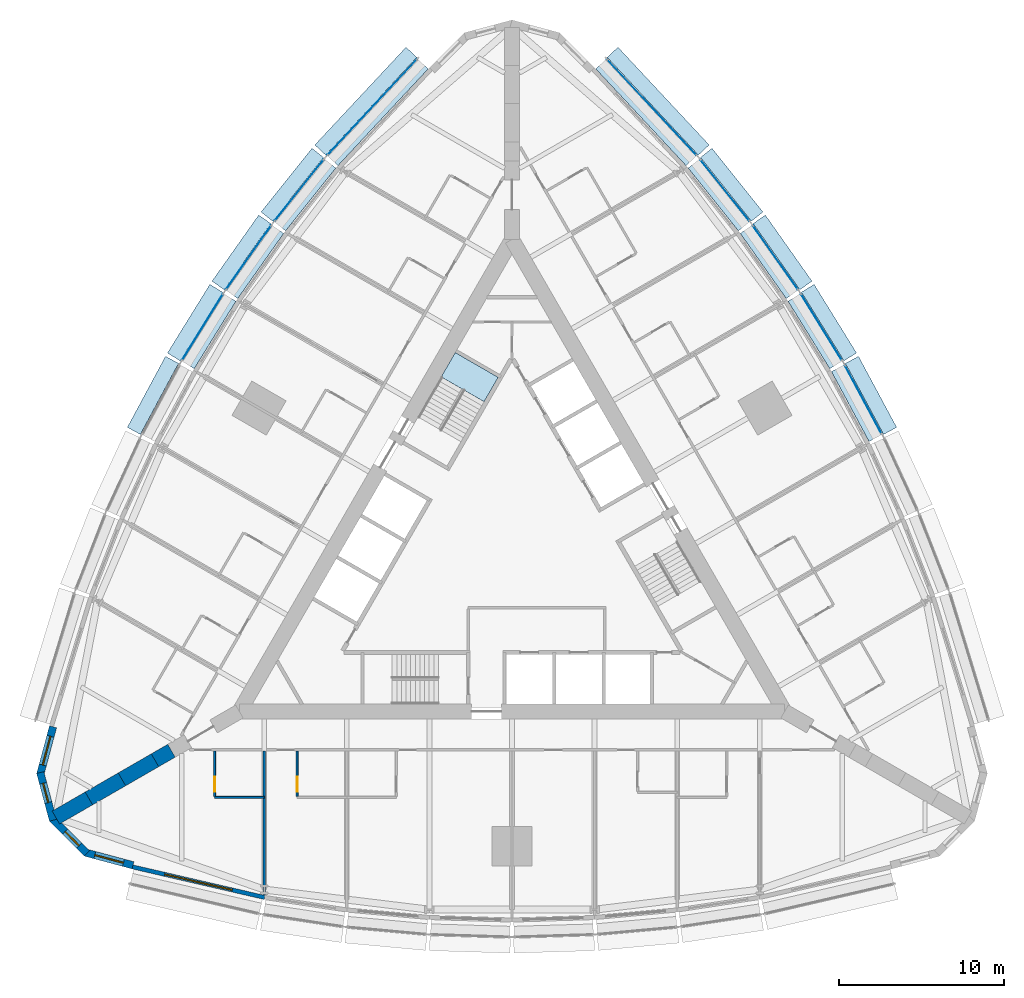
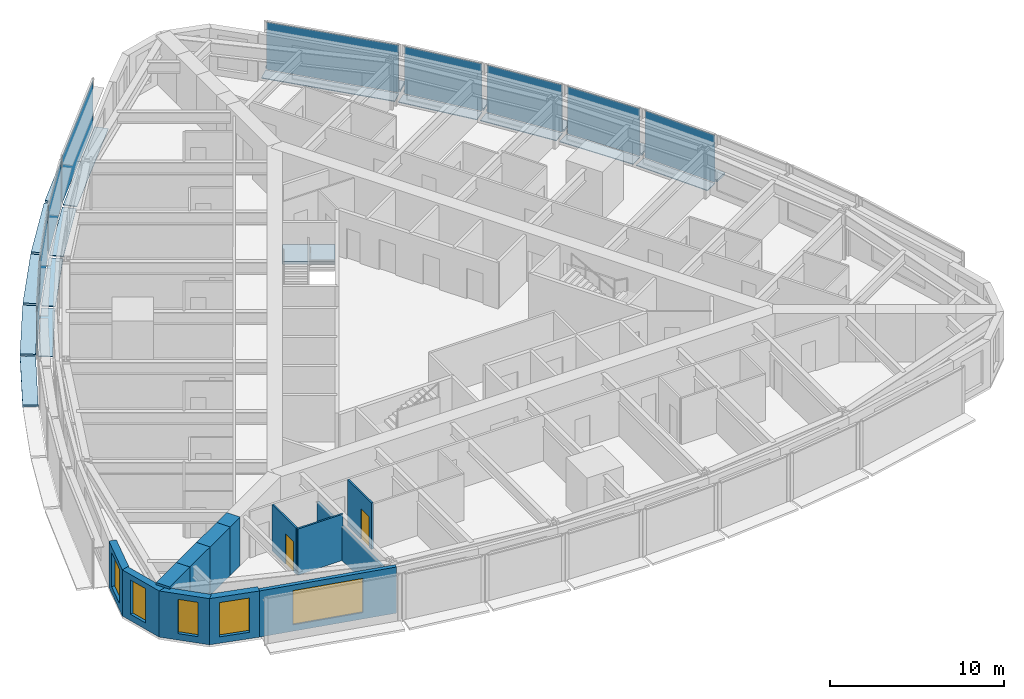
# One storey, part 7 of 14: 28 plates, 13 walls, 5 windows, 2 doors, 1 slab, 7 openings, 10 elements without a shape of their own.
"""IFC4 building model written with IfcOpenShell, lengths in metres."""

from ifc_helpers import new_model, si_unit, direction, frame, frame_2d, origin, origin_2d, place, context, subcontext, project, spatial, polyline, rectangle, outline, extrude, material, layer, layer_set, type_object, element, fill, aggregate, save


model = new_model("IFC4")

# Units and contexts
model_context = context("Model", 3, precision=1e-05, world=origin(), true_north=direction((0.0, 1.0)))
body_context = subcontext(model_context, "Body", "Model", "MODEL_VIEW")
ifc_project = project(units=[si_unit("LENGTHUNIT", "METRE"), si_unit("AREAUNIT", "SQUARE_METRE"), si_unit("VOLUMEUNIT", "CUBIC_METRE"), si_unit("PLANEANGLEUNIT", "RADIAN"), si_unit("MASSUNIT", "GRAM", prefix="KILO")], contexts=[model_context])

# Site, building, storey
site_placement = place(None, origin())
site = spatial("IfcSite", under=ifc_project, at=site_placement, CompositionType="ELEMENT")
building_placement = place(site_placement, origin())
building = spatial("IfcBuilding", under=site, at=building_placement, Name="Trikona Tower", CompositionType="ELEMENT")
storey_placement = place(building_placement, frame((0.0, 0.0, 38.699951171875)))
storey = spatial("IfcBuildingStorey", under=building, at=storey_placement, Name="L08", CompositionType="ELEMENT", Elevation=38.699951171875)

# Plates
ifc_material_1 = material(Name="Aluminium bar grating", Category="aluminium")
ifc_layer_1 = layer(ifc_material_1, 0.050048828125)
ifc_layer_set_1 = layer_set([ifc_layer_1], Name="Cavity catwalk grating")
plate_type_1 = type_object("IfcPlateType", Name="Cavity catwalk grating", PredefinedType="USERDEFINED", material=ifc_layer_set_1)
for number, where, z_axis, x_axis, name in (
    (1, (20.833740234375, 9.127197265625, -0.0498046875), (0.0, 0.0, 1.0), (-0.473422672721, 0.880835383572, 0.0), "Cavity catwalk L08-15"),
    (2, (18.3212890625, 13.47900390625, -0.0498046875), (0.0, 0.0, 1.0), (-0.526118935114, 0.85041099835, 0.0), "Cavity catwalk L08-16"),
):
    element("IfcPlate", number, at=place(storey_placement, frame(where, z_axis=z_axis, x_axis=x_axis)), inside=storey, type_object=plate_type_1, Name=name, ObjectType="CATWALK GRATING", PredefinedType="USERDEFINED", context=body_context, shape_type="SweptSolid", body=[
        extrude(rectangle(XDim=4.80224609375, YDim=0.820068359375, at=origin_2d()), origin(), (0.0, 0.0, 1.0), 0.050048828125),
    ])
plate_1_placement = place(storey_placement, frame((15.544189453125, 17.677734375, -0.0498046875), z_axis=(0.0, 0.0, 1.0), x_axis=(-0.576661909499, 0.816982889743, 0.0)))
element("IfcPlate", 3, at=plate_1_placement, inside=storey, type_object=plate_type_1, Name="Cavity catwalk L08-17", ObjectType="CATWALK GRATING", PredefinedType="USERDEFINED", context=body_context, shape_type="SweptSolid", body=[
    extrude(rectangle(XDim=4.82080078125, YDim=0.820068359375, at=origin_2d()), origin(), (0.0, 0.0, 1.0), 0.050048828125),
])
plate_2_placement = place(storey_placement, frame((12.502197265625, 21.72314453125, -0.0498046875), z_axis=(0.0, 0.0, 1.0), x_axis=(-0.624603618277, 0.780941944087, 0.0)))
element("IfcPlate", 4, at=plate_2_placement, inside=storey, type_object=plate_type_1, Name="Cavity catwalk L08-18", ObjectType="CATWALK GRATING", PredefinedType="USERDEFINED", context=body_context, shape_type="SweptSolid", body=[
    extrude(rectangle(XDim=4.857666015625, YDim=0.820068359375, at=origin_2d()), origin(), (0.0, 0.0, 1.0), 0.050048828125),
])
for number, where, z_axis, x_axis, name in (
    (5, (8.10107421875, 26.72314453125, -0.0498046875), (0.0, 0.0, 1.0), (-0.682298269147, 0.731073916864, 0.0), "Cavity catwalk L08-19"),
    (6, (-8.10107421875, 26.72314453125, -0.0498046875), (0.0, 0.0, 1.0), (-0.682298269147, -0.731073916864, 0.0), "Cavity catwalk L08-24"),
):
    element("IfcPlate", number, at=place(storey_placement, frame(where, z_axis=z_axis, x_axis=x_axis)), inside=storey, type_object=plate_type_1, Name=name, ObjectType="CATWALK GRATING", PredefinedType="USERDEFINED", context=body_context, shape_type="SweptSolid", body=[
        extrude(rectangle(XDim=8.01123046875, YDim=0.820068359375, at=origin_2d()), origin(), (0.0, 0.0, 1.0), 0.050048828125),
    ])
plate_3_placement = place(storey_placement, frame((-12.502197265625, 21.72314453125, -0.0498046875), z_axis=(0.0, 0.0, 1.0), x_axis=(-0.624603618277, -0.780941944087, 0.0)))
element("IfcPlate", 7, at=plate_3_placement, inside=storey, type_object=plate_type_1, Name="Cavity catwalk L08-25", ObjectType="CATWALK GRATING", PredefinedType="USERDEFINED", context=body_context, shape_type="SweptSolid", body=[
    extrude(rectangle(XDim=4.857666015625, YDim=0.820068359375, at=origin_2d()), origin(), (0.0, 0.0, 1.0), 0.050048828125),
])
plate_4_placement = place(storey_placement, frame((-15.544189453125, 17.677734375, -0.0498046875), z_axis=(0.0, 0.0, 1.0), x_axis=(-0.576661909499, -0.816982889743, 0.0)))
element("IfcPlate", 8, at=plate_4_placement, inside=storey, type_object=plate_type_1, Name="Cavity catwalk L08-26", ObjectType="CATWALK GRATING", PredefinedType="USERDEFINED", context=body_context, shape_type="SweptSolid", body=[
    extrude(rectangle(XDim=4.82080078125, YDim=0.820068359375, at=origin_2d()), origin(), (0.0, 0.0, 1.0), 0.050048828125),
])
plate_5_placement = place(storey_placement, frame((-18.3212890625, 13.47900390625, -0.0498046875), z_axis=(0.0, 0.0, 1.0), x_axis=(-0.526118935114, -0.85041099835, 0.0)))
element("IfcPlate", 9, at=plate_5_placement, inside=storey, type_object=plate_type_1, Name="Cavity catwalk L08-27", ObjectType="CATWALK GRATING", PredefinedType="USERDEFINED", context=body_context, shape_type="SweptSolid", body=[
    extrude(rectangle(XDim=4.80224609375, YDim=0.820068359375, at=origin_2d()), origin(), (0.0, 0.0, 1.0), 0.050048828125),
])

# Curtain wall, plate
ifc_material_2 = material(Name="Aluminium curtain wall system", Category="aluminium")
curtain_wall_type = type_object("IfcCurtainWallType", Name="Curtain wall DS1", PredefinedType="NOTDEFINED", material=ifc_material_2)
curtain_wall_1_placement = place(storey_placement, origin())
curtain_wall_1 = element("IfcCurtainWall", 10, at=curtain_wall_1_placement, inside=storey, type_object=curtain_wall_type, Name="Curtain wall DS1 L08", PredefinedType="NOTDEFINED")
ifc_material_3 = material(Name="Laminated clear glass", Category="glass")
ifc_layer_2 = layer(ifc_material_3, 0.028076171875)
ifc_layer_set_2 = layer_set([ifc_layer_2], Name="Glass panel DS1")
plate_type_2 = type_object("IfcPlateType", Name="Glass panel DS1", PredefinedType="CURTAIN_PANEL", material=ifc_layer_set_2)
plate_6_placement = place(storey_placement, frame((21.265380859375, 9.359130859375, 0.0), z_axis=(0.0, 0.0, 1.0), x_axis=(-0.473408350896, 0.880843080975, 0.0)))
plate_6 = element("IfcPlate", 11, at=plate_6_placement, type_object=plate_type_2, Name="CW-DS1 panel 1.1", PredefinedType="CURTAIN_PANEL", context=body_context, shape_type="SweptSolid", body=[
    extrude(rectangle(XDim=4.72216796875, YDim=0.028076171875, at=origin_2d()), origin(), (0.0, 0.0, 1.0), 3.320068359375),
])
aggregate(curtain_wall_1, [plate_6])

curtain_wall_2_placement = place(storey_placement, origin())
curtain_wall_2 = element("IfcCurtainWall", 12, at=curtain_wall_2_placement, inside=storey, type_object=curtain_wall_type, Name="Curtain wall DS1 L08", PredefinedType="NOTDEFINED")
plate_7_placement = place(storey_placement, frame((18.738037109375, 13.73681640625, 0.0), z_axis=(0.0, 0.0, 1.0), x_axis=(-0.526119790842, 0.850410468941, 0.0)))
plate_7 = element("IfcPlate", 13, at=plate_7_placement, type_object=plate_type_2, Name="CW-DS1 panel 1.1", PredefinedType="CURTAIN_PANEL", context=body_context, shape_type="SweptSolid", body=[
    extrude(rectangle(XDim=4.722412109375, YDim=0.028076171875, at=origin_2d()), origin(), (0.0, 0.0, 1.0), 3.320068359375),
])
aggregate(curtain_wall_2, [plate_7])

curtain_wall_3_placement = place(storey_placement, origin())
curtain_wall_3 = element("IfcCurtainWall", 14, at=curtain_wall_3_placement, inside=storey, type_object=curtain_wall_type, Name="Curtain wall DS1 L08", PredefinedType="NOTDEFINED")
plate_8_placement = place(storey_placement, frame((15.9443359375, 17.960205078125, 0.0), z_axis=(0.0, 0.0, 1.0), x_axis=(-0.576658362928, 0.816985393055, 0.0)))
plate_8 = element("IfcPlate", 15, at=plate_8_placement, type_object=plate_type_2, Name="CW-DS1 panel 1.1", PredefinedType="CURTAIN_PANEL", context=body_context, shape_type="SweptSolid", body=[
    extrude(rectangle(XDim=4.74072265625, YDim=0.028076171875, at=origin_2d()), origin(), (0.0, 0.0, 1.0), 3.320068359375),
])
aggregate(curtain_wall_3, [plate_8])

curtain_wall_4_placement = place(storey_placement, origin())
curtain_wall_4 = element("IfcCurtainWall", 16, at=curtain_wall_4_placement, inside=storey, type_object=curtain_wall_type, Name="Curtain wall DS1 L08", PredefinedType="NOTDEFINED")
plate_9_placement = place(storey_placement, frame((12.884765625, 22.029296875, 0.0), z_axis=(0.0, 0.0, 1.0), x_axis=(-0.624608599951, 0.780937959679, 0.0)))
plate_9 = element("IfcPlate", 17, at=plate_9_placement, type_object=plate_type_2, Name="CW-DS1 panel 1.1", PredefinedType="CURTAIN_PANEL", context=body_context, shape_type="SweptSolid", body=[
    extrude(rectangle(XDim=4.777587890625, YDim=0.028076171875, at=origin_2d()), origin(), (0.0, 0.0, 1.0), 3.320068359375),
])
aggregate(curtain_wall_4, [plate_9])

curtain_wall_5_placement = place(storey_placement, origin())
curtain_wall_5 = element("IfcCurtainWall", 18, at=curtain_wall_5_placement, inside=storey, type_object=curtain_wall_type, Name="Curtain wall DS1 L08", PredefinedType="NOTDEFINED")
plate_10_placement = place(storey_placement, frame((8.459228515625, 27.057373046875, 0.0), z_axis=(0.0, 0.0, 1.0), x_axis=(-0.682295351967, 0.731076639405, 0.0)))
plate_10 = element("IfcPlate", 19, at=plate_10_placement, type_object=plate_type_2, Name="CW-DS1 panel 1.1", PredefinedType="CURTAIN_PANEL", context=body_context, shape_type="SweptSolid", body=[
    extrude(rectangle(XDim=7.93115234375, YDim=0.028076171875, at=origin_2d()), origin(), (0.0, 0.0, 1.0), 3.320068359375),
])
aggregate(curtain_wall_5, [plate_10])

curtain_wall_6_placement = place(storey_placement, origin())
curtain_wall_6 = element("IfcCurtainWall", 20, at=curtain_wall_6_placement, inside=storey, type_object=curtain_wall_type, Name="Curtain wall DS1 L08", PredefinedType="NOTDEFINED")
plate_11_placement = place(storey_placement, frame((-8.459228515625, 27.057373046875, 0.0), z_axis=(0.0, 0.0, 1.0), x_axis=(-0.682295351967, -0.731076639405, 0.0)))
plate_11 = element("IfcPlate", 21, at=plate_11_placement, type_object=plate_type_2, Name="CW-DS1 panel 1.1", PredefinedType="CURTAIN_PANEL", context=body_context, shape_type="SweptSolid", body=[
    extrude(rectangle(XDim=7.93115234375, YDim=0.028076171875, at=origin_2d()), origin(), (0.0, 0.0, 1.0), 3.320068359375),
])
aggregate(curtain_wall_6, [plate_11])

curtain_wall_7_placement = place(storey_placement, origin())
curtain_wall_7 = element("IfcCurtainWall", 22, at=curtain_wall_7_placement, inside=storey, type_object=curtain_wall_type, Name="Curtain wall DS1 L08", PredefinedType="NOTDEFINED")
plate_12_placement = place(storey_placement, frame((-12.884765625, 22.029296875, 0.0), z_axis=(0.0, 0.0, 1.0), x_axis=(-0.624608599951, -0.780937959679, 0.0)))
plate_12 = element("IfcPlate", 23, at=plate_12_placement, type_object=plate_type_2, Name="CW-DS1 panel 1.1", PredefinedType="CURTAIN_PANEL", context=body_context, shape_type="SweptSolid", body=[
    extrude(rectangle(XDim=4.777587890625, YDim=0.028076171875, at=origin_2d()), origin(), (0.0, 0.0, 1.0), 3.320068359375),
])
aggregate(curtain_wall_7, [plate_12])

curtain_wall_8_placement = place(storey_placement, origin())
curtain_wall_8 = element("IfcCurtainWall", 24, at=curtain_wall_8_placement, inside=storey, type_object=curtain_wall_type, Name="Curtain wall DS1 L08", PredefinedType="NOTDEFINED")
plate_13_placement = place(storey_placement, frame((-15.9443359375, 17.960205078125, 0.0), z_axis=(0.0, 0.0, 1.0), x_axis=(-0.576658362928, -0.816985393055, 0.0)))
plate_13 = element("IfcPlate", 25, at=plate_13_placement, type_object=plate_type_2, Name="CW-DS1 panel 1.1", PredefinedType="CURTAIN_PANEL", context=body_context, shape_type="SweptSolid", body=[
    extrude(rectangle(XDim=4.74072265625, YDim=0.028076171875, at=origin_2d()), origin(), (0.0, 0.0, 1.0), 3.320068359375),
])
aggregate(curtain_wall_8, [plate_13])

curtain_wall_9_placement = place(storey_placement, origin())
curtain_wall_9 = element("IfcCurtainWall", 26, at=curtain_wall_9_placement, inside=storey, type_object=curtain_wall_type, Name="Curtain wall DS1 L08", PredefinedType="NOTDEFINED")
plate_14_placement = place(storey_placement, frame((-18.738037109375, 13.73681640625, 0.0), z_axis=(0.0, 0.0, 1.0), x_axis=(-0.526119790842, -0.850410468941, 0.0)))
plate_14 = element("IfcPlate", 27, at=plate_14_placement, type_object=plate_type_2, Name="CW-DS1 panel 1.1", PredefinedType="CURTAIN_PANEL", context=body_context, shape_type="SweptSolid", body=[
    extrude(rectangle(XDim=4.722412109375, YDim=0.028076171875, at=origin_2d()), origin(), (0.0, 0.0, 1.0), 3.320068359375),
])
aggregate(curtain_wall_9, [plate_14])

# Plates
ifc_material_4 = material(Name="Aluminium plate fin, pale anodised, on stainless steel outriggers", Category="steel")
ifc_layer_3 = layer(ifc_material_4, 0.14990234375)
ifc_layer_set_3 = layer_set([ifc_layer_3], Name="Outer skin fin 900")
plate_type_3 = type_object("IfcPlateType", Name="Outer skin fin 900", PredefinedType="USERDEFINED", material=ifc_layer_set_3)
for number, where, z_axis, x_axis, name in (
    (28, (21.732421875, 9.610107421875, 0.0), (0.0, 0.0, 1.0), (-0.473422672721, 0.880835383572, 0.0), "Outer skin fin L08-15"),
    (29, (19.188720703125, 14.015625, 0.0), (0.0, 0.0, 1.0), (-0.526118935114, 0.85041099835, 0.0), "Outer skin fin L08-16"),
):
    element("IfcPlate", number, at=place(storey_placement, frame(where, z_axis=z_axis, x_axis=x_axis)), inside=storey, type_object=plate_type_3, Name=name, ObjectType="FIN", PredefinedType="USERDEFINED", context=body_context, shape_type="SweptSolid", body=[
        extrude(rectangle(XDim=4.88232421875, YDim=0.89990234375, at=origin_2d()), origin(), (0.0, 0.0, 1.0), 0.14990234375),
    ])
plate_15_placement = place(storey_placement, frame((16.37744140625, 18.265869140625, 0.0), z_axis=(0.0, 0.0, 1.0), x_axis=(-0.576661909499, 0.816982889743, 0.0)))
element("IfcPlate", 30, at=plate_15_placement, inside=storey, type_object=plate_type_3, Name="Outer skin fin L08-17", ObjectType="FIN", PredefinedType="USERDEFINED", context=body_context, shape_type="SweptSolid", body=[
    extrude(rectangle(XDim=4.90087890625, YDim=0.89990234375, at=origin_2d()), origin(), (0.0, 0.0, 1.0), 0.14990234375),
])
plate_16_placement = place(storey_placement, frame((13.298583984375, 22.360107421875, 0.0), z_axis=(0.0, 0.0, 1.0), x_axis=(-0.624603618277, 0.780941944087, 0.0)))
element("IfcPlate", 31, at=plate_16_placement, inside=storey, type_object=plate_type_3, Name="Outer skin fin L08-18", ObjectType="FIN", PredefinedType="USERDEFINED", context=body_context, shape_type="SweptSolid", body=[
    extrude(rectangle(XDim=4.9375, YDim=0.89990234375, at=origin_2d()), origin(), (0.0, 0.0, 1.0), 0.14990234375),
])
for number, where, z_axis, x_axis, name in (
    (32, (8.8466796875, 27.419189453125, 0.0), (0.0, 0.0, 1.0), (-0.682298269147, 0.731073916864, 0.0), "Outer skin fin L08-19"),
    (33, (-8.8466796875, 27.419189453125, 0.0), (0.0, 0.0, 1.0), (-0.682298269147, -0.731073916864, 0.0), "Outer skin fin L08-24"),
):
    element("IfcPlate", number, at=place(storey_placement, frame(where, z_axis=z_axis, x_axis=x_axis)), inside=storey, type_object=plate_type_3, Name=name, ObjectType="FIN", PredefinedType="USERDEFINED", context=body_context, shape_type="SweptSolid", body=[
        extrude(rectangle(XDim=8.09130859375, YDim=0.89990234375, at=origin_2d()), origin(), (0.0, 0.0, 1.0), 0.14990234375),
    ])
plate_17_placement = place(storey_placement, frame((-13.298583984375, 22.360107421875, 0.0), z_axis=(0.0, 0.0, 1.0), x_axis=(-0.624603618277, -0.780941944087, 0.0)))
element("IfcPlate", 34, at=plate_17_placement, inside=storey, type_object=plate_type_3, Name="Outer skin fin L08-25", ObjectType="FIN", PredefinedType="USERDEFINED", context=body_context, shape_type="SweptSolid", body=[
    extrude(rectangle(XDim=4.9375, YDim=0.89990234375, at=origin_2d()), origin(), (0.0, 0.0, 1.0), 0.14990234375),
])
plate_18_placement = place(storey_placement, frame((-16.37744140625, 18.265869140625, 0.0), z_axis=(0.0, 0.0, 1.0), x_axis=(-0.576661909499, -0.816982889743, 0.0)))
element("IfcPlate", 35, at=plate_18_placement, inside=storey, type_object=plate_type_3, Name="Outer skin fin L08-26", ObjectType="FIN", PredefinedType="USERDEFINED", context=body_context, shape_type="SweptSolid", body=[
    extrude(rectangle(XDim=4.90087890625, YDim=0.89990234375, at=origin_2d()), origin(), (0.0, 0.0, 1.0), 0.14990234375),
])
for number, where, z_axis, x_axis, name in (
    (36, (-19.188720703125, 14.015625, 0.0), (0.0, 0.0, 1.0), (-0.526118935114, -0.85041099835, 0.0), "Outer skin fin L08-27"),
    (37, (-21.732421875, 9.610107421875, 0.0), (0.0, 0.0, 1.0), (-0.473422672721, -0.880835383572, 0.0), "Outer skin fin L08-28"),
):
    element("IfcPlate", number, at=place(storey_placement, frame(where, z_axis=z_axis, x_axis=x_axis)), inside=storey, type_object=plate_type_3, Name=name, ObjectType="FIN", PredefinedType="USERDEFINED", context=body_context, shape_type="SweptSolid", body=[
        extrude(rectangle(XDim=4.88232421875, YDim=0.89990234375, at=origin_2d()), origin(), (0.0, 0.0, 1.0), 0.14990234375),
    ])

# Stair, slab
ifc_material_5 = material(Name="Concrete f'c 5000 psi", Category="concrete")
stair_type = type_object("IfcStairType", Name="Core stair", PredefinedType="HALF_TURN_STAIR", material=ifc_material_5)
stair_placement = place(storey_placement, origin())
stair = element("IfcStair", 38, at=stair_placement, inside=storey, type_object=stair_type, Name="Stair C L08", PredefinedType="HALF_TURN_STAIR")
ifc_material_6 = material(Name="Concrete f'c 5000 psi", Category="concrete")
ifc_layer_4 = layer(ifc_material_6, 0.199951171875)
ifc_layer_set_4 = layer_set([ifc_layer_4], Name="Stair landing 200")
slab_type = type_object("IfcSlabType", Name="Stair landing 200", PredefinedType="LANDING", material=ifc_layer_set_4)
slab_placement = place(storey_placement, frame((0.0, 0.0, 1.5)))
slab = element("IfcSlab", 39, at=slab_placement, type_object=slab_type, Name="ST-C landing 2", PredefinedType="LANDING", context=body_context, shape_type="SweptSolid", body=[
    extrude(outline(polyline([(-0.837158203125, 10.702392578125), (-1.688720703125, 9.2275390625), (-4.286865234375, 10.7275390625), (-3.435302734375, 12.202392578125), (-0.837158203125, 10.702392578125)])), origin(), (0.0, 0.0, 1.0), 0.199951171875),
])
aggregate(stair, [slab])

# Wall
ifc_material_7 = material(Name="Metal stud and cement board", Category="gypsum")
ifc_layer_5 = layer(ifc_material_7, 0.1201171875)
ifc_layer_set_5 = layer_set([ifc_layer_5], Name="Bathroom wall 120")
wall_type_1 = type_object("IfcWallType", Name="Bathroom wall 120", PredefinedType="PLUMBINGWALL", material=ifc_layer_set_5)
wall_1_placement = place(storey_placement, frame((-18.0, -14.726318359375, 0.0), z_axis=(0.0, 0.0, 1.0), x_axis=(1.0, 0.0, 0.0)))
element("IfcWall", 40, at=wall_1_placement, inside=storey, type_object=wall_type_1, Name="Bathroom wall 0801", PredefinedType="PLUMBINGWALL", context=body_context, shape_type="SweptSolid", body=[
    extrude(rectangle(XDim=3.0, YDim=0.1201171875, at=frame_2d((1.5, 0.0))), origin(), (0.0, 0.0, 1.0), 3.235107421875),
])

# Wall, opening, door
wall_2_placement = place(storey_placement, frame((-18.0, -11.92626953125, 0.0), z_axis=(0.0, 0.0, 1.0), x_axis=(0.0, -1.0, 0.0)))
wall_2 = element("IfcWall", 41, at=wall_2_placement, inside=storey, type_object=wall_type_1, Name="Bathroom wall 0801", PredefinedType="PLUMBINGWALL", context=body_context, shape_type="SweptSolid", body=[
    extrude(rectangle(XDim=2.739990234375, YDim=0.1201171875, at=frame_2d((1.3701171875, 0.0))), origin(), (0.0, 0.0, 1.0), 3.235107421875),
])
opening_1_placement = place(wall_2_placement, frame((1.550048828125, 0.0, 0.0)))
opening_1 = element("IfcOpeningElement", 42, at=opening_1_placement, cuts=wall_2, Name="Opening D2", PredefinedType="OPENING", context=body_context, shape_type="SweptSolid", body=[
    extrude(rectangle(XDim=0.89990234375, YDim=2.1298828125, at=frame_2d((0.449951171875, 1.06494140625))), frame((0.0, 0.070068359375, 0.0), z_axis=(0.0, -1.0, 0.0), x_axis=(1.0, 0.0, 0.0)), (0.0, 0.0, 1.0), 0.14013671875),
])
ifc_material_8 = material(Name="Steel door frame with solid-core timber leaf", Category="steel")
door_type = type_object("IfcDoorType", Name="Bathroom door 900x2130", OperationType="SLIDING_TO_LEFT", PredefinedType="DOOR", material=ifc_material_8)
door_1_placement = place(opening_1_placement, origin())
door_1 = element("IfcDoor", 43, at=door_1_placement, inside=storey, type_object=door_type, Name="Bathroom door 0801", OperationType="SLIDING_TO_LEFT", OverallHeight=2.1298828125, OverallWidth=0.89990234375, PredefinedType="DOOR", context=body_context, shape_type="SweptSolid", body=[
    extrude(rectangle(XDim=0.89990234375, YDim=2.1298828125, at=frame_2d((0.449951171875, 1.06494140625))), frame((0.0, 0.02490234375, 0.0), z_axis=(0.0, -1.0, 0.0), x_axis=(1.0, 0.0, 0.0)), (0.0, 0.0, 1.0), 0.050048828125),
])
fill(opening_1, door_1)

wall_3_placement = place(storey_placement, frame((-13.0, -11.92626953125, 0.0), z_axis=(0.0, 0.0, 1.0), x_axis=(0.0, -1.0, 0.0)))
wall_3 = element("IfcWall", 44, at=wall_3_placement, inside=storey, type_object=wall_type_1, Name="Bathroom wall 0802", PredefinedType="PLUMBINGWALL", context=body_context, shape_type="SweptSolid", body=[
    extrude(rectangle(XDim=2.739990234375, YDim=0.1201171875, at=frame_2d((1.3701171875, 0.0))), origin(), (0.0, 0.0, 1.0), 3.235107421875),
])
opening_2_placement = place(wall_3_placement, frame((1.550048828125, 0.0, 0.0)))
opening_2 = element("IfcOpeningElement", 45, at=opening_2_placement, cuts=wall_3, Name="Opening D2", PredefinedType="OPENING", context=body_context, shape_type="SweptSolid", body=[
    extrude(rectangle(XDim=0.89990234375, YDim=2.1298828125, at=frame_2d((0.449951171875, 1.06494140625))), frame((0.0, 0.070068359375, 0.0), z_axis=(0.0, -1.0, 0.0), x_axis=(1.0, 0.0, 0.0)), (0.0, 0.0, 1.0), 0.14013671875),
])
door_2_placement = place(opening_2_placement, origin())
door_2 = element("IfcDoor", 46, at=door_2_placement, inside=storey, type_object=door_type, Name="Bathroom door 0802", OperationType="SLIDING_TO_LEFT", OverallHeight=2.1298828125, OverallWidth=0.89990234375, PredefinedType="DOOR", context=body_context, shape_type="SweptSolid", body=[
    extrude(rectangle(XDim=0.89990234375, YDim=2.1298828125, at=frame_2d((0.449951171875, 1.06494140625))), frame((0.0, 0.02490234375, 0.0), z_axis=(0.0, -1.0, 0.0), x_axis=(1.0, 0.0, 0.0)), (0.0, 0.0, 1.0), 0.050048828125),
])
fill(opening_2, door_2)

# Wall, opening, window
ifc_material_9 = material(Name="Brick-faced precast concrete", Category="masonry")
ifc_layer_6 = layer(ifc_material_9, 0.449951171875)
ifc_layer_set_6 = layer_set([ifc_layer_6], Name="Brick-faced corner wall 450")
wall_type_2 = type_object("IfcWallType", Name="Brick-faced corner wall 450", PredefinedType="SOLIDWALL", material=ifc_layer_set_6)
wall_4_placement = place(storey_placement, frame((-27.78271484375, -10.450439453125, 0.0), z_axis=(0.0, 0.0, 1.0), x_axis=(-0.258780998834, -0.965936019953, 0.0)))
wall_4 = element("IfcWall", 47, at=wall_4_placement, inside=storey, type_object=wall_type_2, Name="External wall L08-32", PredefinedType="SOLIDWALL", context=body_context, shape_type="SweptSolid", body=[
    extrude(rectangle(XDim=2.98876953125, YDim=0.449951171875, at=frame_2d((1.494384765625, 0.0))), origin(), (0.0, 0.0, 1.0), 3.235107421875),
])
opening_3_placement = place(wall_4_placement, frame((0.59423828125, 0.0, 0.449951171875)))
opening_3 = element("IfcOpeningElement", 48, at=opening_3_placement, cuts=wall_4, Name="Opening W1824", PredefinedType="OPENING", context=body_context, shape_type="SweptSolid", body=[
    extrude(rectangle(XDim=1.800048828125, YDim=2.39990234375, at=frame_2d((0.89990234375, 1.199951171875))), frame((0.0, 0.23486328125, 0.0), z_axis=(0.0, -1.0, 0.0), x_axis=(1.0, 0.0, 0.0)), (0.0, 0.0, 1.0), 0.469970703125),
])
ifc_material_10 = material(Name="Aluminium-framed double glazing", Category="aluminium")
window_type_1 = type_object("IfcWindowType", Name="Window 1800x2400", PartitioningType="SINGLE_PANEL", PredefinedType="WINDOW", material=ifc_material_10)
window_1_placement = place(opening_3_placement, origin())
window_1 = element("IfcWindow", 49, at=window_1_placement, inside=storey, type_object=window_type_1, Name="Window 0818", OverallHeight=2.39990234375, OverallWidth=1.800048828125, PartitioningType="SINGLE_PANEL", PredefinedType="WINDOW", context=body_context, shape_type="SweptSolid", body=[
    extrude(rectangle(XDim=1.800048828125, YDim=2.39990234375, at=frame_2d((0.89990234375, 1.199951171875))), frame((0.0, 0.030029296875, 0.0), z_axis=(0.0, -1.0, 0.0), x_axis=(1.0, 0.0, 0.0)), (0.0, 0.0, 1.0), 0.06005859375),
])
fill(opening_3, window_1)

wall_5_placement = place(storey_placement, frame((-28.55615234375, -13.220947265625, 0.0), z_axis=(0.0, 0.0, 1.0), x_axis=(0.258801419081, -0.965930548995, 0.0)))
wall_5 = element("IfcWall", 50, at=wall_5_placement, inside=storey, type_object=wall_type_2, Name="External wall L08-33", PredefinedType="SOLIDWALL", context=body_context, shape_type="SweptSolid", body=[
    extrude(outline(polyline([(2.988525390625, 0.22509765625), (2.928955078125, 0.22509765625), (2.437255859375, 0.09326171875), (2.402099609375, 0.22509765625), (0.0, 0.22509765625), (0.0, -0.22509765625), (2.988525390625, -0.22509765625), (2.988525390625, 0.22509765625)])), origin(), (0.0, 0.0, 1.0), 3.235107421875),
])
opening_4_placement = place(wall_5_placement, frame((0.676025390625, 0.0, 0.449951171875)))
opening_4 = element("IfcOpeningElement", 51, at=opening_4_placement, cuts=wall_5, Name="Opening W1224", PredefinedType="OPENING", context=body_context, shape_type="SweptSolid", body=[
    extrude(rectangle(XDim=1.199951171875, YDim=2.39990234375, at=frame_2d((0.60009765625, 1.199951171875))), frame((0.0, 0.23486328125, 0.0), z_axis=(0.0, -1.0, 0.0), x_axis=(1.0, 0.0, 0.0)), (0.0, 0.0, 1.0), 0.469970703125),
])
ifc_material_11 = material(Name="Aluminium-framed double glazing", Category="aluminium")
window_type_2 = type_object("IfcWindowType", Name="Window 1200x2400", PartitioningType="SINGLE_PANEL", PredefinedType="WINDOW", material=ifc_material_11)
window_2_placement = place(opening_4_placement, origin())
window_2 = element("IfcWindow", 52, at=window_2_placement, inside=storey, type_object=window_type_2, Name="Window 0818", OverallHeight=2.39990234375, OverallWidth=1.199951171875, PartitioningType="SINGLE_PANEL", PredefinedType="WINDOW", context=body_context, shape_type="SweptSolid", body=[
    extrude(rectangle(XDim=1.199951171875, YDim=2.39990234375, at=frame_2d((0.60009765625, 1.199951171875))), frame((0.0, 0.030029296875, 0.0), z_axis=(0.0, -1.0, 0.0), x_axis=(1.0, 0.0, 0.0)), (0.0, 0.0, 1.0), 0.06005859375),
])
fill(opening_4, window_2)

wall_6_placement = place(storey_placement, frame((-27.8408203125, -16.006591796875, 0.0), z_axis=(0.0, 0.0, 1.0), x_axis=(0.707025086683, -0.707188466253, 0.0)))
wall_6 = element("IfcWall", 53, at=wall_6_placement, inside=storey, type_object=wall_type_2, Name="External wall L08-34", PredefinedType="SOLIDWALL", context=body_context, shape_type="SweptSolid", body=[
    extrude(outline(polyline([(2.988525390625, 0.22509765625), (0.58642578125, 0.22509765625), (0.551025390625, 0.093017578125), (0.058837890625, 0.22509765625), (0.0, 0.22509765625), (0.0, -0.22509765625), (2.988525390625, -0.22509765625), (2.988525390625, 0.22509765625)])), origin(), (0.0, 0.0, 1.0), 3.235107421875),
])
opening_5_placement = place(wall_6_placement, frame((1.112548828125, 0.0, 0.449951171875)))
opening_5 = element("IfcOpeningElement", 54, at=opening_5_placement, cuts=wall_6, Name="Opening W1224", PredefinedType="OPENING", context=body_context, shape_type="SweptSolid", body=[
    extrude(rectangle(XDim=1.199951171875, YDim=2.39990234375, at=frame_2d((0.60009765625, 1.199951171875))), frame((0.0, 0.23486328125, 0.0), z_axis=(0.0, -1.0, 0.0), x_axis=(1.0, 0.0, 0.0)), (0.0, 0.0, 1.0), 0.469970703125),
])
window_3_placement = place(opening_5_placement, origin())
window_3 = element("IfcWindow", 55, at=window_3_placement, inside=storey, type_object=window_type_2, Name="Window 0801", OverallHeight=2.39990234375, OverallWidth=1.199951171875, PartitioningType="SINGLE_PANEL", PredefinedType="WINDOW", context=body_context, shape_type="SweptSolid", body=[
    extrude(rectangle(XDim=1.199951171875, YDim=2.39990234375, at=frame_2d((0.60009765625, 1.199951171875))), frame((0.0, 0.030029296875, 0.0), z_axis=(0.0, -1.0, 0.0), x_axis=(1.0, 0.0, 0.0)), (0.0, 0.0, 1.0), 0.06005859375),
])
fill(opening_5, window_3)

wall_7_placement = place(storey_placement, frame((-25.82861328125, -18.061767578125, 0.0), z_axis=(0.0, 0.0, 1.0), x_axis=(0.965930548995, -0.258801419081, 0.0)))
wall_7 = element("IfcWall", 56, at=wall_7_placement, inside=storey, type_object=wall_type_2, Name="External wall L08-35", PredefinedType="SOLIDWALL", context=body_context, shape_type="SweptSolid", body=[
    extrude(rectangle(XDim=2.988525390625, YDim=0.449951171875, at=frame_2d((1.494140625, 0.0))), origin(), (0.0, 0.0, 1.0), 3.235107421875),
])
opening_6_placement = place(wall_7_placement, frame((0.59423828125, 0.0, 0.449951171875)))
opening_6 = element("IfcOpeningElement", 57, at=opening_6_placement, cuts=wall_7, Name="Opening W1824", PredefinedType="OPENING", context=body_context, shape_type="SweptSolid", body=[
    extrude(rectangle(XDim=1.800048828125, YDim=2.39990234375, at=frame_2d((0.89990234375, 1.199951171875))), frame((0.0, 0.23486328125, 0.0), z_axis=(0.0, -1.0, 0.0), x_axis=(1.0, 0.0, 0.0)), (0.0, 0.0, 1.0), 0.469970703125),
])
window_4_placement = place(opening_6_placement, origin())
window_4 = element("IfcWindow", 58, at=window_4_placement, inside=storey, type_object=window_type_1, Name="Window 0801", OverallHeight=2.39990234375, OverallWidth=1.800048828125, PartitioningType="SINGLE_PANEL", PredefinedType="WINDOW", context=body_context, shape_type="SweptSolid", body=[
    extrude(rectangle(XDim=1.800048828125, YDim=2.39990234375, at=frame_2d((0.89990234375, 1.199951171875))), frame((0.0, 0.030029296875, 0.0), z_axis=(0.0, -1.0, 0.0), x_axis=(1.0, 0.0, 0.0)), (0.0, 0.0, 1.0), 0.06005859375),
])
fill(opening_6, window_4)

# Walls
ifc_material_12 = material(Name="Concrete f'c 10000 psi", Category="concrete")
ifc_layer_7 = layer(ifc_material_12, 0.89990234375)
ifc_layer_set_7 = layer_set([ifc_layer_7], Name="Buttress wall 900")
wall_type_3 = type_object("IfcWallType", Name="Buttress wall 900", PredefinedType="SHEAR", material=ifc_layer_set_7)
wall_8_placement = place(storey_placement, frame((-20.6103515625, -11.8994140625, 0.0), z_axis=(0.0, 0.0, 1.0), x_axis=(-0.866009537788, -0.500027479704, 0.0)))
element("IfcWall", 59, at=wall_8_placement, inside=storey, type_object=wall_type_3, Name="Buttress wall 3 part 2", PredefinedType="SHEAR", context=body_context, shape_type="SweptSolid", body=[
    extrude(rectangle(XDim=1.15478515625, YDim=0.89990234375, at=frame_2d((0.577392578125, 0.0))), origin(), (0.0, 0.0, 1.0), 3.400146484375),
])
for number, where, z_axis, x_axis, name in (
    (60, (-21.6103515625, -12.476806640625, 0.0), (0.0, 0.0, 1.0), (-0.866055313784, -0.499948190782, 0.0), "Buttress wall 3 part 3"),
    (61, (-23.6103515625, -13.63134765625, 0.0), (0.0, 0.0, 1.0), (-0.866009537788, -0.500027479704, 0.0), "Buttress wall 3 part 4"),
    (62, (-25.6103515625, -14.7861328125, 0.0), (0.0, 0.0, 1.0), (-0.866009537788, -0.500027479704, 0.0), "Buttress wall 3 part 5"),
):
    element("IfcWall", number, at=place(storey_placement, frame(where, z_axis=z_axis, x_axis=x_axis)), inside=storey, type_object=wall_type_3, Name=name, PredefinedType="SHEAR", context=body_context, shape_type="SweptSolid", body=[
        extrude(rectangle(XDim=2.309326171875, YDim=0.89990234375, at=frame_2d((1.15478515625, 0.0))), origin(), (0.0, 0.0, 1.0), 3.400146484375),
    ])

# Wall, opening, window
ifc_material_13 = material(Name="Insulated precast concrete spandrel panel", Category="concrete")
ifc_layer_8 = layer(ifc_material_13, 0.25)
ifc_layer_set_8 = layer_set([ifc_layer_8], Name="Inner skin wall 250")
wall_type_4 = type_object("IfcWallType", Name="Inner skin wall 250", PredefinedType="STANDARD", material=ifc_layer_set_8)
wall_9_placement = place(storey_placement, frame((-22.9716796875, -18.930908203125, 0.0), z_axis=(0.0, 0.0, 1.0), x_axis=(0.974279327392, -0.225343720163, 0.0)))
wall_9 = element("IfcWall", 63, at=wall_9_placement, inside=storey, type_object=wall_type_4, Name="External wall L08-00", PredefinedType="STANDARD", context=body_context, shape_type="SweptSolid", body=[
    extrude(rectangle(XDim=8.211181640625, YDim=0.25, at=frame_2d((4.10546875, 0.0))), origin(), (0.0, 0.0, 1.0), 3.235107421875),
])
opening_7_placement = place(wall_9_placement, frame((2.005615234375, 0.0, 0.449951171875)))
opening_7 = element("IfcOpeningElement", 64, at=opening_7_placement, cuts=wall_9, Name="Opening W4224", PredefinedType="OPENING", context=body_context, shape_type="SweptSolid", body=[
    extrude(rectangle(XDim=4.199951171875, YDim=2.39990234375, at=frame_2d((2.10009765625, 1.199951171875))), frame((0.0, 0.135009765625, 0.0), z_axis=(0.0, -1.0, 0.0), x_axis=(1.0, 0.0, 0.0)), (0.0, 0.0, 1.0), 0.27001953125),
])
ifc_material_14 = material(Name="Aluminium-framed double glazing", Category="aluminium")
window_type_3 = type_object("IfcWindowType", Name="Window 4200x2400", PartitioningType="SINGLE_PANEL", PredefinedType="WINDOW", material=ifc_material_14)
window_5_placement = place(opening_7_placement, origin())
window_5 = element("IfcWindow", 65, at=window_5_placement, inside=storey, type_object=window_type_3, Name="Window 0801", OverallHeight=2.39990234375, OverallWidth=4.199951171875, PartitioningType="SINGLE_PANEL", PredefinedType="WINDOW", context=body_context, shape_type="SweptSolid", body=[
    extrude(rectangle(XDim=4.199951171875, YDim=2.39990234375, at=frame_2d((2.10009765625, 1.199951171875))), frame((0.0, 0.030029296875, 0.0), z_axis=(0.0, -1.0, 0.0), x_axis=(1.0, 0.0, 0.0)), (0.0, 0.0, 1.0), 0.06005859375),
])
fill(opening_7, window_5)

# Wall
ifc_material_15 = material(Name="Metal stud and gypsum board, 1-hour acoustic", Category="gypsum")
ifc_layer_9 = layer(ifc_material_15, 0.14990234375)
ifc_layer_set_9 = layer_set([ifc_layer_9], Name="Party wall 150")
wall_type_5 = type_object("IfcWallType", Name="Party wall 150", PredefinedType="PARTITIONING", material=ifc_layer_set_9)
wall_10_placement = place(storey_placement, frame((-15.0, -11.92626953125, 0.0), z_axis=(0.0, 0.0, 1.0), x_axis=(0.0, -1.0, 0.0)))
element("IfcWall", 66, at=wall_10_placement, inside=storey, type_object=wall_type_5, Name="Partition L08 F1 u-15", PredefinedType="PARTITIONING", context=body_context, shape_type="SweptSolid", body=[
    extrude(rectangle(XDim=8.72021484375, YDim=0.14990234375, at=frame_2d((4.360107421875, 0.0))), origin(), (0.0, 0.0, 1.0), 2.38916015625),
])

save(model, "model.ifc")
